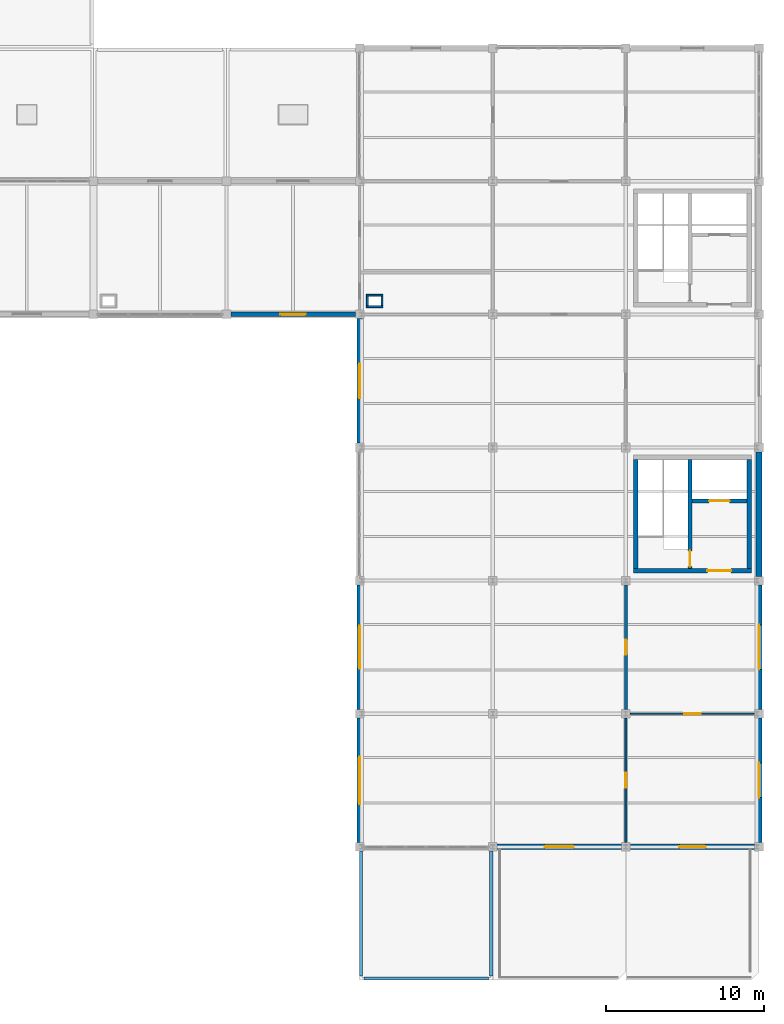
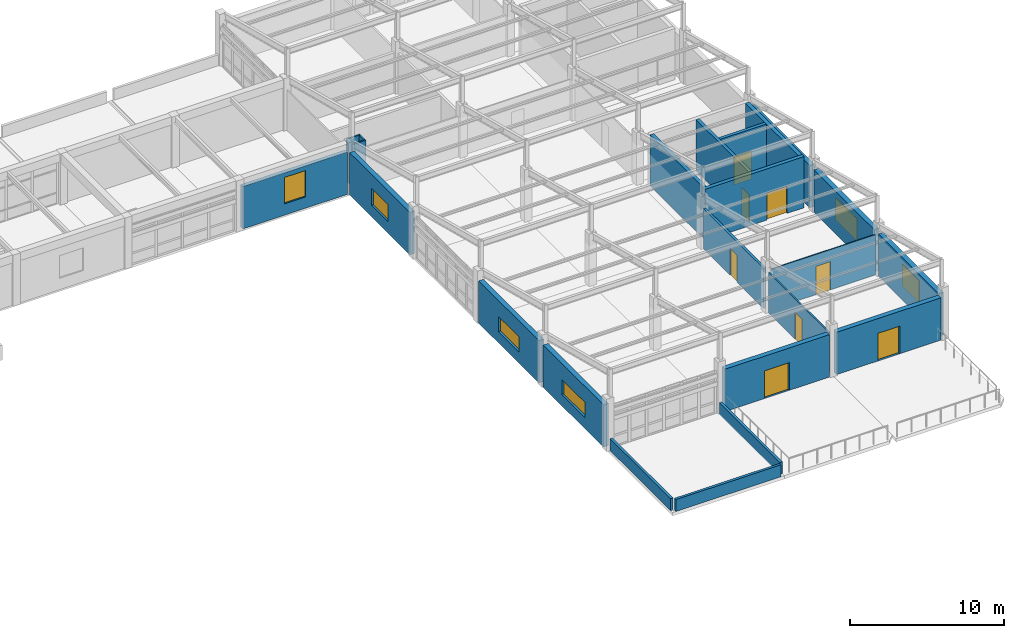
# One storey, part 68 of 74: 24 walls, 8 doors, 6 windows, 14 openings.
"""IFC4 building model written with IfcOpenShell, lengths in metres."""

import ifcopenshell
import ifcopenshell.guid

model = None  # the IFC model being written
_history = None  # IfcOwnerHistory: only IFC2X3 demands one
_inside = {}  # id of a spatial element -> (the spatial element, [elements in it])
_under = {}  # id of a project, library or spatial element -> (it, [spatial elements below it])
_declared = {}  # id of a project -> (the project, [libraries it declares])
_typed = {}  # id of a type object -> (the type object, [elements of that type])
_made_of = {}  # id of a material, layer set ... -> (it, [elements and type objects made of it])


def new_model(schema):
    """Start an empty IFC model of exactly this schema.

    Asked for "IFC4X3", IfcOpenShell would pick the latest addendum, in which some entities
    have other attributes; the version numbers below select the first issue.
    IFC2X3 requires an IfcOwnerHistory on every rooted entity: one is made here for all.
    """
    global model, _history
    if schema == "IFC4X3":
        model = ifcopenshell.file(schema_version=(4, 3, 0, 0))
    else:
        model = ifcopenshell.file(schema=schema)
    _inside.clear()
    _under.clear()
    _declared.clear()
    _typed.clear()
    _made_of.clear()
    _history = None
    if model.schema == "IFC2X3":
        org = make("IfcOrganization", Name="unknown")
        user = make(
            "IfcPersonAndOrganization",
            ThePerson=make("IfcPerson", FamilyName="unknown"),
            TheOrganization=org,
        )
        app = make(
            "IfcApplication",
            ApplicationDeveloper=org,
            Version="unknown",
            ApplicationFullName="unknown",
            ApplicationIdentifier="unknown",
        )
        _history = make(
            "IfcOwnerHistory",
            OwningUser=user,
            OwningApplication=app,
            ChangeAction="ADDED",
            CreationDate=0,
        )
    return model


def make(cls, **values):
    """One entity of the class cls with the attributes given. An attribute that is None is left unset."""
    return model.create_entity(
        cls, **{name: value for name, value in values.items() if value is not None}
    )


def rooted(cls, **values):
    """An entity with a GlobalId (a new one), such as an element, a storey or a relation."""
    return make(cls, GlobalId=ifcopenshell.guid.new(), OwnerHistory=_history, **values)


def si_unit(unit_type, name, prefix=None):
    """IfcSIUnit, for example si_unit("LENGTHUNIT", "METRE", prefix="MILLI")."""
    return make("IfcSIUnit", UnitType=unit_type, Prefix=prefix, Name=name)


def assignment(units):
    """IfcUnitAssignment: the units of a project."""
    return None if units is None else make("IfcUnitAssignment", Units=units)


def point(xyz):
    """IfcCartesianPoint."""
    return None if xyz is None else make("IfcCartesianPoint", Coordinates=xyz)


def direction(xyz):
    """IfcDirection."""
    return None if xyz is None else make("IfcDirection", DirectionRatios=xyz)


def frame(location, z_axis=None, x_axis=None):
    """IfcAxis2Placement3D, a coordinate frame: its origin and axes. An axis left out is left unset."""
    return make(
        "IfcAxis2Placement3D",
        Location=point(location),
        Axis=direction(z_axis),
        RefDirection=direction(x_axis),
    )


def frame_2d(location, x_axis=None):
    """IfcAxis2Placement2D, a coordinate frame in the plane: its origin and x axis."""
    return make(
        "IfcAxis2Placement2D", Location=point(location), RefDirection=direction(x_axis)
    )


def origin():
    """The frame at (0, 0, 0) with its axes left unset."""
    return frame((0.0, 0.0, 0.0))


def place(relative_to, where):
    """IfcLocalPlacement: puts the frame where relative to a parent placement (None: the world)."""
    return make(
        "IfcLocalPlacement", PlacementRelTo=relative_to, RelativePlacement=where
    )


def context(
    kind, dimensions, precision=None, world=None, true_north=None, identifier=None
):
    """IfcGeometricRepresentationContext, for example the 3D "Model" context."""
    return make(
        "IfcGeometricRepresentationContext",
        ContextIdentifier=identifier,
        ContextType=kind,
        CoordinateSpaceDimension=dimensions,
        Precision=precision,
        WorldCoordinateSystem=world,
        TrueNorth=true_north,
    )


def subcontext(parent, identifier, kind, view, scale=None):
    """IfcGeometricRepresentationSubContext, for example "Body" below "Model"."""
    return make(
        "IfcGeometricRepresentationSubContext",
        ContextIdentifier=identifier,
        ContextType=kind,
        ParentContext=parent,
        TargetScale=scale,
        TargetView=view,
    )


def project(units=None, contexts=None):
    """IfcProject with its units and contexts."""
    return rooted(
        "IfcProject",
        Name="project",
        RepresentationContexts=contexts,
        UnitsInContext=assignment(units),
    )


def spatial(cls, under=None, at=None, **own):
    """A site, building, storey or space (cls), placed at a placement, below another one or the project."""
    s = rooted(cls, ObjectPlacement=at, **own)
    if under is not None:
        _under.setdefault(under.id(), (under, []))[1].append(s)
    return s


def profile(cls, at=None, kind="AREA", **sizes):
    """A parametric profile (cls). Its sizes go by their IFC names, for example OverallWidth=200.0."""
    return make(cls, ProfileType=kind, Position=at, **sizes)


def rectangle(**sizes):
    """IfcRectangleProfileDef."""
    return profile("IfcRectangleProfileDef", **sizes)


def extrude(swept, where, along, depth):
    """IfcExtrudedAreaSolid: the profile swept, set in the frame where, extruded along a direction by depth."""
    return make(
        "IfcExtrudedAreaSolid",
        SweptArea=swept,
        Position=where,
        ExtrudedDirection=direction(along),
        Depth=depth,
    )


def shape(context_of_items, identifier, shape_type, items):
    """IfcShapeRepresentation: the items that make up one representation, for example the "Body"."""
    return make(
        "IfcShapeRepresentation",
        ContextOfItems=context_of_items,
        RepresentationIdentifier=identifier,
        RepresentationType=shape_type,
        Items=items,
    )


def material(Name=None, Category=None):
    """IfcMaterial."""
    return make("IfcMaterial", Name=Name, Category=Category)


def layer(
    of_material, thickness, ventilated=None, Name=None, Category=None, Priority=None
):
    """IfcMaterialLayer: one layer of a wall or slab, of a material (None: an air gap)."""
    return make(
        "IfcMaterialLayer",
        Material=of_material,
        LayerThickness=thickness,
        IsVentilated=ventilated,
        Name=Name,
        Category=Category,
        Priority=Priority,
    )


def layer_set(layers, Name=None):
    """IfcMaterialLayerSet."""
    return make("IfcMaterialLayerSet", MaterialLayers=layers, LayerSetName=Name)


def made_of(thing, what):
    """Note that an element or type object is made of a material, layer set ...; save() writes the relation."""
    if what is not None:
        _made_of.setdefault(what.id(), (what, []))[1].append(thing)
    return thing


def type_object(cls, material=None, **own):
    """A type object (cls), such as IfcWallType, which elements share."""
    return made_of(rooted(cls, **own), material)


def element(
    cls,
    number,
    at=None,
    inside=None,
    cuts=None,
    type_object=None,
    material=None,
    context=None,
    identifier="Body",
    shape_type=None,
    held_by="IfcProductDefinitionShape",
    body=None,
    shapes=None,
    **own,
):
    """One element of the class cls, such as IfcWall. Its Tag is "e" and its number.

    at: its placement. inside: the storey or other place that contains it. cuts: it is an
    opening in that element (IfcRelVoidsElement). A single representation is given by context,
    identifier, shape_type and body (its items); several are given by shapes. held_by: the class
    of the entity that holds the representations. save() writes the other relations.
    """
    e = rooted(cls, Tag="e%d" % number, ObjectPlacement=at, **own)
    if body is not None:
        shapes = [shape(context, identifier, shape_type, body)]
    if shapes is not None:
        e.Representation = make(held_by, Representations=shapes)
    if inside is not None:
        _inside.setdefault(inside.id(), (inside, []))[1].append(e)
    if cuts is not None:
        rooted(
            "IfcRelVoidsElement", RelatingBuildingElement=cuts, RelatedOpeningElement=e
        )
    if type_object is not None:
        _typed.setdefault(type_object.id(), (type_object, []))[1].append(e)
    return made_of(e, material)


def fill(opening, filler):
    """IfcRelFillsElement: the door or window that sits in an opening."""
    return rooted(
        "IfcRelFillsElement",
        RelatingOpeningElement=opening,
        RelatedBuildingElement=filler,
    )


def aggregate(whole, parts):
    """IfcRelAggregates: a whole, such as a stair, and the parts it consists of."""
    return rooted("IfcRelAggregates", RelatingObject=whole, RelatedObjects=parts)


def save(model, path):
    """Write the relations noted so far, then the file.

    IfcRelAggregates (storeys below a building ...), IfcRelContainedInSpatialStructure (elements
    in a storey), IfcRelDefinesByType, IfcRelAssociatesMaterial and IfcRelDeclares: one each for
    every whole, place, type object, material and project.
    """
    for whole, parts in _under.values():
        aggregate(whole, parts)
    for where, things in _inside.values():
        rooted(
            "IfcRelContainedInSpatialStructure",
            RelatedElements=things,
            RelatingStructure=where,
        )
    for kind, things in _typed.values():
        rooted("IfcRelDefinesByType", RelatedObjects=things, RelatingType=kind)
    for what, things in _made_of.values():
        rooted("IfcRelAssociatesMaterial", RelatedObjects=things, RelatingMaterial=what)
    for by, libraries in _declared.values():
        rooted("IfcRelDeclares", RelatingContext=by, RelatedDefinitions=libraries)
    model.write(path)


model = new_model("IFC4")

# Units and contexts
model_context = context("Model", 3, precision=1e-05, world=origin(), true_north=direction((0.0, 1.0)))
body_context = subcontext(model_context, "Body", "Model", "MODEL_VIEW")
ifc_project = project(units=[si_unit("LENGTHUNIT", "METRE"), si_unit("AREAUNIT", "SQUARE_METRE"), si_unit("VOLUMEUNIT", "CUBIC_METRE"), si_unit("PLANEANGLEUNIT", "RADIAN"), si_unit("MASSUNIT", "GRAM", prefix="KILO")], contexts=[model_context])

# Site, building, storey
site_placement = place(None, origin())
site = spatial("IfcSite", under=ifc_project, at=site_placement, CompositionType="ELEMENT")
building_placement = place(site_placement, origin())
building = spatial("IfcBuilding", under=site, at=building_placement, Name="Porcellanite Civic Hall", CompositionType="ELEMENT")
storey_placement = place(building_placement, frame((0.0, 0.0, 14.760009765625)))
storey = spatial("IfcBuildingStorey", under=building, at=storey_placement, Name="L03", CompositionType="ELEMENT", Elevation=14.760009765625)

# Wall, opening, door
ifc_material_1 = material(Name="Concrete N40 (40 MPa)", Category="concrete")
ifc_layer_1 = layer(ifc_material_1, 0.239990234375)
ifc_layer_set_1 = layer_set([ifc_layer_1], Name="Concrete N40 (40 MPa)")
wall_type_1 = type_object("IfcWallType", Name="CW-SH240", PredefinedType="SHEAR", material=ifc_layer_set_1)
wall_1_placement = place(storey_placement, frame((163.639892578125, 34.360107421875, 0.0), z_axis=(0.0, 0.0, 1.0), x_axis=(0.0, 1.0, 0.0)))
wall_1 = element("IfcWall", 1, at=wall_1_placement, inside=storey, type_object=wall_type_1, Name="Core divider C7 L03", PredefinedType="SHEAR", context=body_context, shape_type="SweptSolid", body=[
    extrude(rectangle(XDim=6.8798828125, YDim=0.239990234375, at=frame_2d((3.43994140625, 0.0))), origin(), (0.0, 0.0, 1.0), 4.070068359375),
])
opening_1_placement = place(wall_1_placement, frame((0.1201171875, 0.0, 0.0)))
opening_1 = element("IfcOpeningElement", 2, at=opening_1_placement, cuts=wall_1, Name="Opening FD-C7-L03-ST", PredefinedType="OPENING", context=body_context, shape_type="SweptSolid", body=[
    extrude(rectangle(XDim=1.0, YDim=2.14990234375, at=frame_2d((0.5, 1.074951171875))), frame((0.0, 0.1201171875, 0.0), z_axis=(0.0, -1.0, 0.0), x_axis=(1.0, 0.0, 0.0)), (0.0, 0.0, 1.0), 0.239990234375),
])
ifc_material_2 = material(Name="Fire-rated solid-core hardwood timber", Category="wood")
door_type_1 = type_object("IfcDoorType", Name="DR-FD100", OperationType="NOTDEFINED", PredefinedType="DOOR", material=ifc_material_2)
door_1_placement = place(opening_1_placement, origin())
door_1 = element("IfcDoor", 3, at=door_1_placement, inside=storey, type_object=door_type_1, Name="Fire stair door FD-C7-L03-ST", OperationType="SINGLE_SWING_RIGHT", OverallHeight=2.14990234375, OverallWidth=1.0, PredefinedType="DOOR", context=body_context, shape_type="SweptSolid", body=[
    extrude(rectangle(XDim=1.0, YDim=2.14990234375, at=frame_2d((0.5, 1.074951171875))), frame((0.0, 0.02490234375, 0.0), z_axis=(0.0, -1.0, 0.0), x_axis=(1.0, 0.0, 0.0)), (0.0, 0.0, 1.0), 0.050048828125),
])
fill(opening_1, door_1)

wall_2_placement = place(storey_placement, frame((163.760009765625, 38.6201171875, 0.0), z_axis=(0.0, 0.0, 1.0), x_axis=(1.0, 0.0, 0.0)))
wall_2 = element("IfcWall", 4, at=wall_2_placement, inside=storey, type_object=wall_type_1, Name="Lift shaft wall C7 L03", PredefinedType="SHEAR", context=body_context, shape_type="SweptSolid", body=[
    extrude(rectangle(XDim=3.47998046875, YDim=0.239990234375, at=frame_2d((1.739990234375, 0.0))), origin(), (0.0, 0.0, 1.0), 4.070068359375),
])
opening_2_placement = place(wall_2_placement, frame((1.090087890625, 0.0, 0.0)))
opening_2 = element("IfcOpeningElement", 5, at=opening_2_placement, cuts=wall_2, Name="Opening LD-07", PredefinedType="OPENING", context=body_context, shape_type="SweptSolid", body=[
    extrude(rectangle(XDim=1.300048828125, YDim=2.25, at=frame_2d((0.64990234375, 1.125))), frame((0.0, 0.1201171875, 0.0), z_axis=(0.0, -1.0, 0.0), x_axis=(1.0, 0.0, 0.0)), (0.0, 0.0, 1.0), 0.239990234375),
])
ifc_material_3 = material(Name="Brushed stainless steel 316", Category="steel")
door_type_2 = type_object("IfcDoorType", Name="DR-LD130", OperationType="DOUBLE_DOOR_SLIDING", PredefinedType="DOOR", material=ifc_material_3)
door_2_placement = place(opening_2_placement, origin())
door_2 = element("IfcDoor", 6, at=door_2_placement, inside=storey, type_object=door_type_2, Name="Lift landing sliding door LD-07 L03", OperationType="DOUBLE_DOOR_SLIDING", OverallHeight=2.25, OverallWidth=1.300048828125, PredefinedType="DOOR", context=body_context, shape_type="SweptSolid", body=[
    extrude(rectangle(XDim=1.300048828125, YDim=2.25, at=frame_2d((0.64990234375, 1.125))), frame((0.0, 0.02490234375, 0.0), z_axis=(0.0, -1.0, 0.0), x_axis=(1.0, 0.0, 0.0)), (0.0, 0.0, 1.0), 0.050048828125),
])
fill(opening_2, door_2)

ifc_material_4 = material(Name="Concrete N40 (40 MPa)", Category="concrete")
ifc_layer_2 = layer(ifc_material_4, 0.280029296875)
ifc_layer_set_2 = layer_set([ifc_layer_2], Name="Concrete N40 (40 MPa)")
wall_type_2 = type_object("IfcWallType", Name="CW-SH280", PredefinedType="SHEAR", material=ifc_layer_set_2)
wall_3_placement = place(storey_placement, frame((167.52001953125, 34.219970703125, 0.0), z_axis=(0.0, 0.0, 1.0), x_axis=(-1.0, 0.0, 0.0)))
wall_3 = element("IfcWall", 7, at=wall_3_placement, inside=storey, type_object=wall_type_2, Name="Core wall C7 L03 S", PredefinedType="SHEAR", context=body_context, shape_type="SweptSolid", body=[
    extrude(rectangle(XDim=7.43994140625, YDim=0.280029296875, at=frame_2d((3.719970703125, 0.0))), origin(), (0.0, 0.0, 1.0), 4.070068359375),
])
opening_3_placement = place(wall_3_placement, frame((1.280029296875, 0.0, 0.0)))
opening_3 = element("IfcOpeningElement", 8, at=opening_3_placement, cuts=wall_3, Name="Opening FD-C7-L03-LB", PredefinedType="OPENING", context=body_context, shape_type="SweptSolid", body=[
    extrude(rectangle(XDim=1.5, YDim=2.14990234375, at=frame_2d((0.75, 1.074951171875))), frame((0.0, 0.14013671875, 0.0), z_axis=(0.0, -1.0, 0.0), x_axis=(1.0, 0.0, 0.0)), (0.0, 0.0, 1.0), 0.280029296875),
])
ifc_material_5 = material(Name="Fire-rated steel and Georgian wired glass", Category="steel")
door_type_3 = type_object("IfcDoorType", Name="DR-FD150", OperationType="DOUBLE_DOOR_SINGLE_SWING", PredefinedType="DOOR", material=ifc_material_5)
door_3_placement = place(opening_3_placement, origin())
door_3 = element("IfcDoor", 9, at=door_3_placement, inside=storey, type_object=door_type_3, Name="Fire lobby double door FD-C7-L03-LB", OperationType="DOUBLE_DOOR_SINGLE_SWING", OverallHeight=2.14990234375, OverallWidth=1.5, PredefinedType="DOOR", context=body_context, shape_type="SweptSolid", body=[
    extrude(rectangle(XDim=1.5, YDim=2.14990234375, at=frame_2d((0.75, 1.074951171875))), frame((0.0, 0.02490234375, 0.0), z_axis=(0.0, -1.0, 0.0), x_axis=(1.0, 0.0, 0.0)), (0.0, 0.0, 1.0), 0.050048828125),
])
fill(opening_3, door_3)

# Walls
for number, where, z_axis, x_axis, name in (
    (10, (160.219970703125, 34.360107421875, 0.0), (0.0, 0.0, 1.0), (0.0, 1.0, 0.0), "Core wall C7 L03 W"),
    (11, (167.3798828125, 41.239990234375, 0.0), (0.0, 0.0, 1.0), (0.0, -1.0, 0.0), "Core wall C7 L03 E"),
):
    element("IfcWall", number, at=place(storey_placement, frame(where, z_axis=z_axis, x_axis=x_axis)), inside=storey, type_object=wall_type_2, Name=name, PredefinedType="SHEAR", context=body_context, shape_type="SweptSolid", body=[
        extrude(rectangle(XDim=6.8798828125, YDim=0.280029296875, at=frame_2d((3.43994140625, 0.0))), origin(), (0.0, 0.0, 1.0), 4.070068359375),
    ])

# Wall, opening, window
ifc_material_6 = material(Name="Precast concrete N40 (40 MPa)", Category="concrete")
ifc_layer_3 = layer(ifc_material_6, 0.280029296875)
ifc_layer_set_3 = layer_set([ifc_layer_3], Name="Precast concrete N40 (40 MPa)")
wall_type_3 = type_object("IfcWallType", Name="EW-CLO280", PredefinedType="SOLIDWALL", material=ifc_layer_set_3)
wall_4_placement = place(storey_placement, frame((142.52392578125, 50.39990234375, 0.0), z_axis=(0.0, 0.0, 1.0), x_axis=(-1.0, 0.0, 0.0)))
wall_4 = element("IfcWall", 12, at=wall_4_placement, inside=storey, type_object=wall_type_3, Name="Exterior wall L03 S 17-7", PredefinedType="SOLIDWALL", context=body_context, shape_type="SweptSolid", body=[
    extrude(rectangle(XDim=7.847900390625, YDim=0.280029296875, at=frame_2d((3.923828125, 0.0))), origin(), (0.0, 0.0, 1.0), 3.369873046875),
])
opening_4_placement = place(wall_4_placement, frame((3.1240234375, 0.0, 0.89990234375)))
opening_4 = element("IfcOpeningElement", 13, at=opening_4_placement, cuts=wall_4, Name="Opening W05", PredefinedType="OPENING", context=body_context, shape_type="SweptSolid", body=[
    extrude(rectangle(XDim=1.60009765625, YDim=2.10009765625, at=frame_2d((0.800048828125, 1.050048828125))), frame((0.0, 0.14013671875, 0.0), z_axis=(0.0, -1.0, 0.0), x_axis=(1.0, 0.0, 0.0)), (0.0, 0.0, 1.0), 0.280029296875),
])
ifc_material_7 = material(Name="Cyclone laminated low-E glazing in anodised aluminium frame", Category="aluminium")
window_type_1 = type_object("IfcWindowType", Name="WN-05", PartitioningType="DOUBLE_PANEL_VERTICAL", PredefinedType="WINDOW", material=ifc_material_7)
window_1_placement = place(opening_4_placement, origin())
window_1 = element("IfcWindow", 14, at=window_1_placement, inside=storey, type_object=window_type_1, Name="Window W05 L03 S 17-7", OverallHeight=2.10009765625, OverallWidth=1.60009765625, PartitioningType="SINGLE_PANEL", PredefinedType="WINDOW", context=body_context, shape_type="SweptSolid", body=[
    extrude(rectangle(XDim=1.60009765625, YDim=2.10009765625, at=frame_2d((0.800048828125, 1.050048828125))), frame((0.0, 0.030029296875, 0.0), z_axis=(0.0, -1.0, 0.0), x_axis=(1.0, 0.0, 0.0)), (0.0, 0.0, 1.0), 0.06005859375),
])
fill(opening_4, window_1)

ifc_material_8 = material(Name="Precast concrete N40 (40 MPa)", Category="concrete")
ifc_layer_4 = layer(ifc_material_8, 0.360107421875)
ifc_layer_set_4 = layer_set([ifc_layer_4], Name="Precast concrete N40 (40 MPa)")
wall_type_4 = type_object("IfcWallType", Name="EW-LIB360", PredefinedType="SOLIDWALL", material=ifc_layer_set_4)
wall_5_placement = place(storey_placement, frame((142.800048828125, 17.075927734375, 0.0), z_axis=(0.0, 0.0, 1.0), x_axis=(0.0, 1.0, 0.0)))
wall_5 = element("IfcWall", 15, at=wall_5_placement, inside=storey, type_object=wall_type_4, Name="Exterior wall L03 W 18-3", PredefinedType="SOLIDWALL", context=body_context, shape_type="SweptSolid", body=[
    extrude(rectangle(XDim=7.84814453125, YDim=0.360107421875, at=frame_2d((3.924072265625, 0.0))), origin(), (0.0, 0.0, 1.0), 3.369873046875),
])
opening_5_placement = place(wall_5_placement, frame((2.424072265625, 0.0, 0.89990234375)))
opening_5 = element("IfcOpeningElement", 16, at=opening_5_placement, cuts=wall_5, Name="Opening W09", PredefinedType="OPENING", context=body_context, shape_type="SweptSolid", body=[
    extrude(rectangle(XDim=3.0, YDim=1.199951171875, at=frame_2d((1.5, 0.60009765625))), frame((0.0, 0.18017578125, 0.0), z_axis=(0.0, -1.0, 0.0), x_axis=(1.0, 0.0, 0.0)), (0.0, 0.0, 1.0), 0.360107421875),
])
ifc_material_9 = material(Name="Cyclone laminated low-E glazing in anodised aluminium frame", Category="aluminium")
window_type_2 = type_object("IfcWindowType", Name="WN-09", PartitioningType="TRIPLE_PANEL_HORIZONTAL", PredefinedType="WINDOW", material=ifc_material_9)
window_2_placement = place(opening_5_placement, origin())
window_2 = element("IfcWindow", 17, at=window_2_placement, inside=storey, type_object=window_type_2, Name="Window W09 L03 W 18-3", OverallHeight=1.199951171875, OverallWidth=3.0, PartitioningType="SINGLE_PANEL", PredefinedType="WINDOW", context=body_context, shape_type="SweptSolid", body=[
    extrude(rectangle(XDim=3.0, YDim=1.199951171875, at=frame_2d((1.5, 0.60009765625))), frame((0.0, 0.030029296875, 0.0), z_axis=(0.0, -1.0, 0.0), x_axis=(1.0, 0.0, 0.0)), (0.0, 0.0, 1.0), 0.06005859375),
])
fill(opening_5, window_2)

wall_6_placement = place(storey_placement, frame((142.800048828125, 25.47607421875, 0.0), z_axis=(0.0, 0.0, 1.0), x_axis=(0.0, 1.0, 0.0)))
wall_6 = element("IfcWall", 18, at=wall_6_placement, inside=storey, type_object=wall_type_4, Name="Exterior wall L03 W 18-4", PredefinedType="SOLIDWALL", context=body_context, shape_type="SweptSolid", body=[
    extrude(rectangle(XDim=7.847900390625, YDim=0.360107421875, at=frame_2d((3.923828125, 0.0))), origin(), (0.0, 0.0, 1.0), 3.369873046875),
])
opening_6_placement = place(wall_6_placement, frame((2.573974609375, 0.0, 0.89990234375)))
opening_6 = element("IfcOpeningElement", 19, at=opening_6_placement, cuts=wall_6, Name="Opening W10", PredefinedType="OPENING", context=body_context, shape_type="SweptSolid", body=[
    extrude(rectangle(XDim=2.699951171875, YDim=1.199951171875, at=frame_2d((1.35009765625, 0.60009765625))), frame((0.0, 0.18017578125, 0.0), z_axis=(0.0, -1.0, 0.0), x_axis=(1.0, 0.0, 0.0)), (0.0, 0.0, 1.0), 0.360107421875),
])
ifc_material_10 = material(Name="Cyclone laminated low-E glazing in anodised aluminium frame", Category="aluminium")
window_type_3 = type_object("IfcWindowType", Name="WN-10", PartitioningType="DOUBLE_PANEL_HORIZONTAL", PredefinedType="WINDOW", material=ifc_material_10)
window_3_placement = place(opening_6_placement, origin())
window_3 = element("IfcWindow", 20, at=window_3_placement, inside=storey, type_object=window_type_3, Name="Window W10 L03 W 18-4", OverallHeight=1.199951171875, OverallWidth=2.699951171875, PartitioningType="SINGLE_PANEL", PredefinedType="WINDOW", context=body_context, shape_type="SweptSolid", body=[
    extrude(rectangle(XDim=2.699951171875, YDim=1.199951171875, at=frame_2d((1.35009765625, 0.60009765625))), frame((0.0, 0.030029296875, 0.0), z_axis=(0.0, -1.0, 0.0), x_axis=(1.0, 0.0, 0.0)), (0.0, 0.0, 1.0), 0.06005859375),
])
fill(opening_6, window_3)

wall_7_placement = place(storey_placement, frame((142.800048828125, 42.27587890625, 0.0), z_axis=(0.0, 0.0, 1.0), x_axis=(0.0, 1.0, 0.0)))
wall_7 = element("IfcWall", 21, at=wall_7_placement, inside=storey, type_object=wall_type_4, Name="Exterior wall L03 W 18-6", PredefinedType="SOLIDWALL", context=body_context, shape_type="SweptSolid", body=[
    extrude(rectangle(XDim=7.84814453125, YDim=0.360107421875, at=frame_2d((3.924072265625, 0.0))), origin(), (0.0, 0.0, 1.0), 3.369873046875),
])
opening_7_placement = place(wall_7_placement, frame((2.823974609375, 0.0, 0.89990234375)))
opening_7 = element("IfcOpeningElement", 22, at=opening_7_placement, cuts=wall_7, Name="Opening W11", PredefinedType="OPENING", context=body_context, shape_type="SweptSolid", body=[
    extrude(rectangle(XDim=2.199951171875, YDim=1.35009765625, at=frame_2d((1.10009765625, 0.675048828125))), frame((0.0, 0.18017578125, 0.0), z_axis=(0.0, -1.0, 0.0), x_axis=(1.0, 0.0, 0.0)), (0.0, 0.0, 1.0), 0.360107421875),
])
ifc_material_11 = material(Name="Cyclone laminated low-E glazing in anodised aluminium frame", Category="aluminium")
window_type_4 = type_object("IfcWindowType", Name="WN-11", PartitioningType="DOUBLE_PANEL_HORIZONTAL", PredefinedType="WINDOW", material=ifc_material_11)
window_4_placement = place(opening_7_placement, origin())
window_4 = element("IfcWindow", 23, at=window_4_placement, inside=storey, type_object=window_type_4, Name="Window W11 L03 W 18-6", OverallHeight=1.35009765625, OverallWidth=2.199951171875, PartitioningType="SINGLE_PANEL", PredefinedType="WINDOW", context=body_context, shape_type="SweptSolid", body=[
    extrude(rectangle(XDim=2.199951171875, YDim=1.35009765625, at=frame_2d((1.10009765625, 0.675048828125))), frame((0.0, 0.030029296875, 0.0), z_axis=(0.0, -1.0, 0.0), x_axis=(1.0, 0.0, 0.0)), (0.0, 0.0, 1.0), 0.06005859375),
])
fill(opening_7, window_4)

# Wall, opening, door
wall_8_placement = place(storey_placement, frame((159.323974609375, 16.800048828125, 0.0), z_axis=(0.0, 0.0, 1.0), x_axis=(-1.0, 0.0, 0.0)))
wall_8 = element("IfcWall", 24, at=wall_8_placement, inside=storey, type_object=wall_type_4, Name="Exterior wall L03 S 19-3", PredefinedType="SOLIDWALL", context=body_context, shape_type="SweptSolid", body=[
    extrude(rectangle(XDim=7.847900390625, YDim=0.360107421875, at=frame_2d((3.923828125, 0.0))), origin(), (0.0, 0.0, 1.0), 3.369873046875),
])
opening_8_placement = place(wall_8_placement, frame((2.9990234375, 0.0, 0.0)))
opening_8 = element("IfcOpeningElement", 25, at=opening_8_placement, cuts=wall_8, Name="Opening TD-12", PredefinedType="OPENING", context=body_context, shape_type="SweptSolid", body=[
    extrude(rectangle(XDim=1.85009765625, YDim=2.199951171875, at=frame_2d((0.925048828125, 1.10009765625))), frame((0.0, 0.18017578125, 0.0), z_axis=(0.0, -1.0, 0.0), x_axis=(1.0, 0.0, 0.0)), (0.0, 0.0, 1.0), 0.360107421875),
])
ifc_material_12 = material(Name="Anodised aluminium and laminated safety glass", Category="aluminium")
door_type_4 = type_object("IfcDoorType", Name="DR-TER185", OperationType="DOUBLE_DOOR_SINGLE_SWING", PredefinedType="DOOR", material=ifc_material_12)
door_4_placement = place(opening_8_placement, origin())
door_4 = element("IfcDoor", 26, at=door_4_placement, inside=storey, type_object=door_type_4, Name="Civic terrace door TD-12", OperationType="DOUBLE_DOOR_SINGLE_SWING", OverallHeight=2.199951171875, OverallWidth=1.85009765625, PredefinedType="DOOR", context=body_context, shape_type="SweptSolid", body=[
    extrude(rectangle(XDim=1.85009765625, YDim=2.199951171875, at=frame_2d((0.925048828125, 1.10009765625))), frame((0.0, 0.02490234375, 0.0), z_axis=(0.0, -1.0, 0.0), x_axis=(1.0, 0.0, 0.0)), (0.0, 0.0, 1.0), 0.050048828125),
])
fill(opening_8, door_4)

wall_9_placement = place(storey_placement, frame((167.72412109375, 16.800048828125, 0.0), z_axis=(0.0, 0.0, 1.0), x_axis=(-1.0, 0.0, 0.0)))
wall_9 = element("IfcWall", 27, at=wall_9_placement, inside=storey, type_object=wall_type_4, Name="Exterior wall L03 S 20-3", PredefinedType="SOLIDWALL", context=body_context, shape_type="SweptSolid", body=[
    extrude(rectangle(XDim=7.84814453125, YDim=0.360107421875, at=frame_2d((3.924072265625, 0.0))), origin(), (0.0, 0.0, 1.0), 3.369873046875),
])
opening_9_placement = place(wall_9_placement, frame((3.09912109375, 0.0, 0.0)))
opening_9 = element("IfcOpeningElement", 28, at=opening_9_placement, cuts=wall_9, Name="Opening TD-13", PredefinedType="OPENING", context=body_context, shape_type="SweptSolid", body=[
    extrude(rectangle(XDim=1.64990234375, YDim=2.199951171875, at=frame_2d((0.824951171875, 1.10009765625))), frame((0.0, 0.18017578125, 0.0), z_axis=(0.0, -1.0, 0.0), x_axis=(1.0, 0.0, 0.0)), (0.0, 0.0, 1.0), 0.360107421875),
])
ifc_material_13 = material(Name="Anodised aluminium and laminated safety glass", Category="aluminium")
door_type_5 = type_object("IfcDoorType", Name="DR-TER165", OperationType="DOUBLE_DOOR_SINGLE_SWING", PredefinedType="DOOR", material=ifc_material_13)
door_5_placement = place(opening_9_placement, origin())
door_5 = element("IfcDoor", 29, at=door_5_placement, inside=storey, type_object=door_type_5, Name="Civic terrace door TD-13", OperationType="DOUBLE_DOOR_SINGLE_SWING", OverallHeight=2.199951171875, OverallWidth=1.64990234375, PredefinedType="DOOR", context=body_context, shape_type="SweptSolid", body=[
    extrude(rectangle(XDim=1.64990234375, YDim=2.199951171875, at=frame_2d((0.824951171875, 1.10009765625))), frame((0.0, 0.02490234375, 0.0), z_axis=(0.0, -1.0, 0.0), x_axis=(1.0, 0.0, 0.0)), (0.0, 0.0, 1.0), 0.050048828125),
])
fill(opening_9, door_5)

# Wall, opening, window
wall_10_placement = place(storey_placement, frame((168.0, 24.924072265625, 0.0), z_axis=(0.0, 0.0, 1.0), x_axis=(0.0, -1.0, 0.0)))
wall_10 = element("IfcWall", 30, at=wall_10_placement, inside=storey, type_object=wall_type_4, Name="Exterior wall L03 E 20-3", PredefinedType="SOLIDWALL", context=body_context, shape_type="SweptSolid", body=[
    extrude(rectangle(XDim=7.84814453125, YDim=0.360107421875, at=frame_2d((3.924072265625, 0.0))), origin(), (0.0, 0.0, 1.0), 3.369873046875),
])
opening_10_placement = place(wall_10_placement, frame((2.823974609375, 0.0, 0.89990234375)))
opening_10 = element("IfcOpeningElement", 31, at=opening_10_placement, cuts=wall_10, Name="Opening W13", PredefinedType="OPENING", context=body_context, shape_type="SweptSolid", body=[
    extrude(rectangle(XDim=2.199951171875, YDim=1.75, at=frame_2d((1.10009765625, 0.875))), frame((0.0, 0.18017578125, 0.0), z_axis=(0.0, -1.0, 0.0), x_axis=(1.0, 0.0, 0.0)), (0.0, 0.0, 1.0), 0.360107421875),
])
ifc_material_14 = material(Name="Cyclone laminated low-E glazing in anodised aluminium frame", Category="aluminium")
window_type_5 = type_object("IfcWindowType", Name="WN-13", PartitioningType="DOUBLE_PANEL_VERTICAL", PredefinedType="WINDOW", material=ifc_material_14)
window_5_placement = place(opening_10_placement, origin())
window_5 = element("IfcWindow", 32, at=window_5_placement, inside=storey, type_object=window_type_5, Name="Window W13 L03 E 20-3", OverallHeight=1.75, OverallWidth=2.199951171875, PartitioningType="SINGLE_PANEL", PredefinedType="WINDOW", context=body_context, shape_type="SweptSolid", body=[
    extrude(rectangle(XDim=2.199951171875, YDim=1.75, at=frame_2d((1.10009765625, 0.875))), frame((0.0, 0.030029296875, 0.0), z_axis=(0.0, -1.0, 0.0), x_axis=(1.0, 0.0, 0.0)), (0.0, 0.0, 1.0), 0.06005859375),
])
fill(opening_10, window_5)

wall_11_placement = place(storey_placement, frame((168.0, 33.323974609375, 0.0), z_axis=(0.0, 0.0, 1.0), x_axis=(0.0, -1.0, 0.0)))
wall_11 = element("IfcWall", 33, at=wall_11_placement, inside=storey, type_object=wall_type_4, Name="Exterior wall L03 E 20-4", PredefinedType="SOLIDWALL", context=body_context, shape_type="SweptSolid", body=[
    extrude(rectangle(XDim=7.847900390625, YDim=0.360107421875, at=frame_2d((3.923828125, 0.0))), origin(), (0.0, 0.0, 1.0), 3.369873046875),
])
opening_11_placement = place(wall_11_placement, frame((2.52392578125, 0.0, 0.89990234375)))
opening_11 = element("IfcOpeningElement", 34, at=opening_11_placement, cuts=wall_11, Name="Opening W14", PredefinedType="OPENING", context=body_context, shape_type="SweptSolid", body=[
    extrude(rectangle(XDim=2.800048828125, YDim=1.75, at=frame_2d((1.39990234375, 0.875))), frame((0.0, 0.18017578125, 0.0), z_axis=(0.0, -1.0, 0.0), x_axis=(1.0, 0.0, 0.0)), (0.0, 0.0, 1.0), 0.360107421875),
])
ifc_material_15 = material(Name="Cyclone laminated low-E glazing in anodised aluminium frame", Category="aluminium")
window_type_6 = type_object("IfcWindowType", Name="WN-14", PartitioningType="TRIPLE_PANEL_VERTICAL", PredefinedType="WINDOW", material=ifc_material_15)
window_6_placement = place(opening_11_placement, origin())
window_6 = element("IfcWindow", 35, at=window_6_placement, inside=storey, type_object=window_type_6, Name="Window W14 L03 E 20-4", OverallHeight=1.75, OverallWidth=2.800048828125, PartitioningType="SINGLE_PANEL", PredefinedType="WINDOW", context=body_context, shape_type="SweptSolid", body=[
    extrude(rectangle(XDim=2.800048828125, YDim=1.75, at=frame_2d((1.39990234375, 0.875))), frame((0.0, 0.030029296875, 0.0), z_axis=(0.0, -1.0, 0.0), x_axis=(1.0, 0.0, 0.0)), (0.0, 0.0, 1.0), 0.06005859375),
])
fill(opening_11, window_6)

# Walls
wall_12_placement = place(storey_placement, frame((168.0, 41.72412109375, 0.0), z_axis=(0.0, 0.0, 1.0), x_axis=(0.0, -1.0, 0.0)))
element("IfcWall", 36, at=wall_12_placement, inside=storey, type_object=wall_type_4, Name="Exterior wall L03 E 20-5", PredefinedType="SOLIDWALL", context=body_context, shape_type="SweptSolid", body=[
    extrude(rectangle(XDim=7.84814453125, YDim=0.360107421875, at=frame_2d((3.924072265625, 0.0))), origin(), (0.0, 0.0, 1.0), 3.369873046875),
])
ifc_material_16 = material(Name="Fire-rated shaftwall plasterboard on steel studs", Category="steel")
ifc_layer_5 = layer(ifc_material_16, 0.117919921875)
ifc_layer_set_5 = layer_set([ifc_layer_5], Name="Fire-rated shaftwall plasterboard on steel studs")
wall_type_5 = type_object("IfcWallType", Name="IW-FR118", PredefinedType="PARTITIONING", material=ifc_layer_set_5)
for number, where, z_axis, x_axis, name in (
    (37, (143.23193359375, 50.89111328125, 0.0), (0.0, 0.0, 1.0), (1.0, 0.0, 0.0), "Fire riser shaftwall S L03 17-6"),
    (38, (143.23193359375, 51.60888671875, 0.0), (0.0, 0.0, 1.0), (1.0, 0.0, 0.0), "Fire riser shaftwall N L03 17-6"),
):
    element("IfcWall", number, at=place(storey_placement, frame(where, z_axis=z_axis, x_axis=x_axis)), inside=storey, type_object=wall_type_5, Name=name, PredefinedType="PARTITIONING", context=body_context, shape_type="SweptSolid", body=[
        extrude(rectangle(XDim=1.0361328125, YDim=0.117919921875, at=frame_2d((0.51806640625, 0.0))), origin(), (0.0, 0.0, 1.0), 3.35009765625),
    ])
for number, where, z_axis, x_axis, name in (
    (39, (143.291015625, 50.949951171875, 0.0), (0.0, 0.0, 1.0), (0.0, 1.0, 0.0), "Fire riser shaftwall W L03 17-6"),
    (40, (144.208984375, 50.949951171875, 0.0), (0.0, 0.0, 1.0), (0.0, 1.0, 0.0), "Fire riser shaftwall E L03 17-6"),
):
    element("IfcWall", number, at=place(storey_placement, frame(where, z_axis=z_axis, x_axis=x_axis)), inside=storey, type_object=wall_type_5, Name=name, PredefinedType="PARTITIONING", context=body_context, shape_type="SweptSolid", body=[
        extrude(rectangle(XDim=0.60009765625, YDim=0.117919921875, at=frame_2d((0.300048828125, 0.0))), origin(), (0.0, 0.0, 1.0), 3.35009765625),
    ])

# Wall, opening, door
ifc_material_17 = material(Name="Insulated acoustic plasterboard on light-gauge steel studs", Category="steel")
ifc_layer_6 = layer(ifc_material_17, 0.087890625)
ifc_layer_set_6 = layer_set([ifc_layer_6], Name="Insulated acoustic plasterboard on light-gauge steel studs")
wall_type_6 = type_object("IfcWallType", Name="IW-PT088", PredefinedType="PARTITIONING", material=ifc_layer_set_6)
wall_13_placement = place(storey_placement, frame((159.876953125, 25.199951171875, 0.0), z_axis=(0.0, 0.0, 1.0), x_axis=(1.0, 0.0, 0.0)))
wall_13 = element("IfcWall", 41, at=wall_13_placement, inside=storey, type_object=wall_type_6, Name="Partition L03 H 20-3", PredefinedType="PARTITIONING", context=body_context, shape_type="SweptSolid", body=[
    extrude(rectangle(XDim=7.845947265625, YDim=0.087890625, at=frame_2d((3.9228515625, 0.0))), origin(), (0.0, 0.0, 1.0), 3.18994140625),
])
opening_12_placement = place(wall_13_placement, frame((3.39306640625, 0.0, 0.0)))
opening_12 = element("IfcOpeningElement", 42, at=opening_12_placement, cuts=wall_13, Name="Opening D-L03-430", PredefinedType="OPENING", context=body_context, shape_type="SweptSolid", body=[
    extrude(rectangle(XDim=1.06005859375, YDim=2.25, at=frame_2d((0.530029296875, 1.125))), frame((0.0, 0.0439453125, 0.0), z_axis=(0.0, -1.0, 0.0), x_axis=(1.0, 0.0, 0.0)), (0.0, 0.0, 1.0), 0.087890625),
])
ifc_material_18 = material(Name="Solid-core spotted-gum timber", Category="wood")
door_type_6 = type_object("IfcDoorType", Name="DR-RM106", OperationType="NOTDEFINED", PredefinedType="DOOR", material=ifc_material_18)
door_6_placement = place(opening_12_placement, origin())
door_6 = element("IfcDoor", 43, at=door_6_placement, inside=storey, type_object=door_type_6, Name="Interior door D-L03-430", OperationType="SINGLE_SWING_RIGHT", OverallHeight=2.25, OverallWidth=1.06005859375, PredefinedType="DOOR", context=body_context, shape_type="SweptSolid", body=[
    extrude(rectangle(XDim=1.06005859375, YDim=2.25, at=frame_2d((0.530029296875, 1.125))), frame((0.0, 0.02490234375, 0.0), z_axis=(0.0, -1.0, 0.0), x_axis=(1.0, 0.0, 0.0)), (0.0, 0.0, 1.0), 0.050048828125),
])
fill(opening_12, door_6)

ifc_material_19 = material(Name="Insulated acoustic plasterboard on light-gauge steel studs", Category="steel")
ifc_layer_7 = layer(ifc_material_19, 0.114990234375)
ifc_layer_set_7 = layer_set([ifc_layer_7], Name="Insulated acoustic plasterboard on light-gauge steel studs")
wall_type_7 = type_object("IfcWallType", Name="IW-PT115", PredefinedType="PARTITIONING", material=ifc_layer_set_7)
wall_14_placement = place(storey_placement, frame((159.60009765625, 17.076904296875, 0.0), z_axis=(0.0, 0.0, 1.0), x_axis=(0.0, 1.0, 0.0)))
wall_14 = element("IfcWall", 44, at=wall_14_placement, inside=storey, type_object=wall_type_7, Name="Partition L03 V 19-3", PredefinedType="PARTITIONING", context=body_context, shape_type="SweptSolid", body=[
    extrude(rectangle(XDim=7.84619140625, YDim=0.114990234375, at=frame_2d((3.923095703125, 0.0))), origin(), (0.0, 0.0, 1.0), 3.18994140625),
])
opening_13_placement = place(wall_14_placement, frame((3.452880859375, 0.0, 0.0)))
opening_13 = element("IfcOpeningElement", 45, at=opening_13_placement, cuts=wall_14, Name="Opening D-L03-449", PredefinedType="OPENING", context=body_context, shape_type="SweptSolid", body=[
    extrude(rectangle(XDim=0.93994140625, YDim=2.14990234375, at=frame_2d((0.469970703125, 1.074951171875))), frame((0.0, 0.0576171875, 0.0), z_axis=(0.0, -1.0, 0.0), x_axis=(1.0, 0.0, 0.0)), (0.0, 0.0, 1.0), 0.114990234375),
])
ifc_material_20 = material(Name="Solid-core spotted-gum timber", Category="wood")
door_type_7 = type_object("IfcDoorType", Name="DR-RM094", OperationType="NOTDEFINED", PredefinedType="DOOR", material=ifc_material_20)
door_7_placement = place(opening_13_placement, origin())
door_7 = element("IfcDoor", 46, at=door_7_placement, inside=storey, type_object=door_type_7, Name="Interior door D-L03-449", OperationType="SINGLE_SWING_LEFT", OverallHeight=2.14990234375, OverallWidth=0.93994140625, PredefinedType="DOOR", context=body_context, shape_type="SweptSolid", body=[
    extrude(rectangle(XDim=0.93994140625, YDim=2.14990234375, at=frame_2d((0.469970703125, 1.074951171875))), frame((0.0, 0.02490234375, 0.0), z_axis=(0.0, -1.0, 0.0), x_axis=(1.0, 0.0, 0.0)), (0.0, 0.0, 1.0), 0.050048828125),
])
fill(opening_13, door_7)

ifc_material_21 = material(Name="Insulated acoustic plasterboard on light-gauge steel studs", Category="steel")
ifc_layer_8 = layer(ifc_material_21, 0.18505859375)
ifc_layer_set_8 = layer_set([ifc_layer_8], Name="Insulated acoustic plasterboard on light-gauge steel studs")
wall_type_8 = type_object("IfcWallType", Name="IW-PT185", PredefinedType="PARTITIONING", material=ifc_layer_set_8)
wall_15_placement = place(storey_placement, frame((159.60009765625, 25.47705078125, 0.0), z_axis=(0.0, 0.0, 1.0), x_axis=(0.0, 1.0, 0.0)))
wall_15 = element("IfcWall", 47, at=wall_15_placement, inside=storey, type_object=wall_type_8, Name="Partition L03 V 19-4", PredefinedType="PARTITIONING", context=body_context, shape_type="SweptSolid", body=[
    extrude(rectangle(XDim=7.845947265625, YDim=0.18505859375, at=frame_2d((3.9228515625, 0.0))), origin(), (0.0, 0.0, 1.0), 3.18994140625),
])
opening_14_placement = place(wall_15_placement, frame((3.452880859375, 0.0, 0.0)))
opening_14 = element("IfcOpeningElement", 48, at=opening_14_placement, cuts=wall_15, Name="Opening D-L03-436", PredefinedType="OPENING", context=body_context, shape_type="SweptSolid", body=[
    extrude(rectangle(XDim=0.93994140625, YDim=2.14990234375, at=frame_2d((0.469970703125, 1.074951171875))), frame((0.0, 0.092529296875, 0.0), z_axis=(0.0, -1.0, 0.0), x_axis=(1.0, 0.0, 0.0)), (0.0, 0.0, 1.0), 0.18505859375),
])
door_8_placement = place(opening_14_placement, origin())
door_8 = element("IfcDoor", 49, at=door_8_placement, inside=storey, type_object=door_type_7, Name="Interior door D-L03-436", OperationType="SINGLE_SWING_RIGHT", OverallHeight=2.14990234375, OverallWidth=0.93994140625, PredefinedType="DOOR", context=body_context, shape_type="SweptSolid", body=[
    extrude(rectangle(XDim=0.93994140625, YDim=2.14990234375, at=frame_2d((0.469970703125, 1.074951171875))), frame((0.0, 0.02490234375, 0.0), z_axis=(0.0, -1.0, 0.0), x_axis=(1.0, 0.0, 0.0)), (0.0, 0.0, 1.0), 0.050048828125),
])
fill(opening_14, door_8)

# Walls
ifc_material_22 = material(Name="Precast concrete N40 (40 MPa)", Category="concrete")
ifc_layer_9 = layer(ifc_material_22, 0.18994140625)
ifc_layer_set_9 = layer_set([ifc_layer_9], Name="Precast concrete N40 (40 MPa)")
wall_type_9 = type_object("IfcWallType", Name="WP-PAR4", PredefinedType="PARAPET", material=ifc_layer_set_9)
wall_16_placement = place(storey_placement, frame((150.93994140625, 8.4951171875, 0.0), z_axis=(0.0, 0.0, 1.0), x_axis=(-1.0, 0.0, 0.0)))
element("IfcWall", 50, at=wall_16_placement, inside=storey, type_object=wall_type_9, Name="Roof parapet L03 S 18-2", PredefinedType="PARAPET", context=body_context, shape_type="SweptSolid", body=[
    extrude(rectangle(XDim=7.8798828125, YDim=0.18994140625, at=frame_2d((3.93994140625, 0.0))), origin(), (0.0, 0.0, 1.0), 0.949951171875),
])
for number, where, z_axis, x_axis, name in (
    (51, (142.89501953125, 8.659912109375, 0.0), (0.0, 0.0, 1.0), (0.0, 1.0, 0.0), "Roof parapet L03 W 18-2"),
    (52, (151.10498046875, 16.5400390625, 0.0), (0.0, 0.0, 1.0), (0.0, -1.0, 0.0), "Roof parapet L03 E 18-2"),
):
    element("IfcWall", number, at=place(storey_placement, frame(where, z_axis=z_axis, x_axis=x_axis)), inside=storey, type_object=wall_type_9, Name=name, PredefinedType="PARAPET", context=body_context, shape_type="SweptSolid", body=[
        extrude(rectangle(XDim=7.880126953125, YDim=0.18994140625, at=frame_2d((3.93994140625, 0.0))), origin(), (0.0, 0.0, 1.0), 0.949951171875),
    ])

save(model, "model.ifc")
